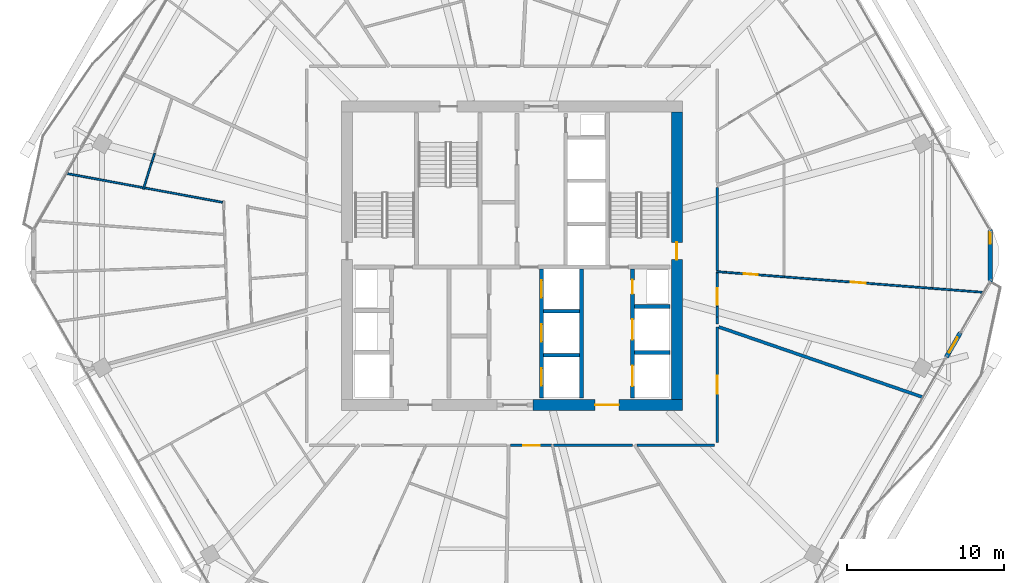
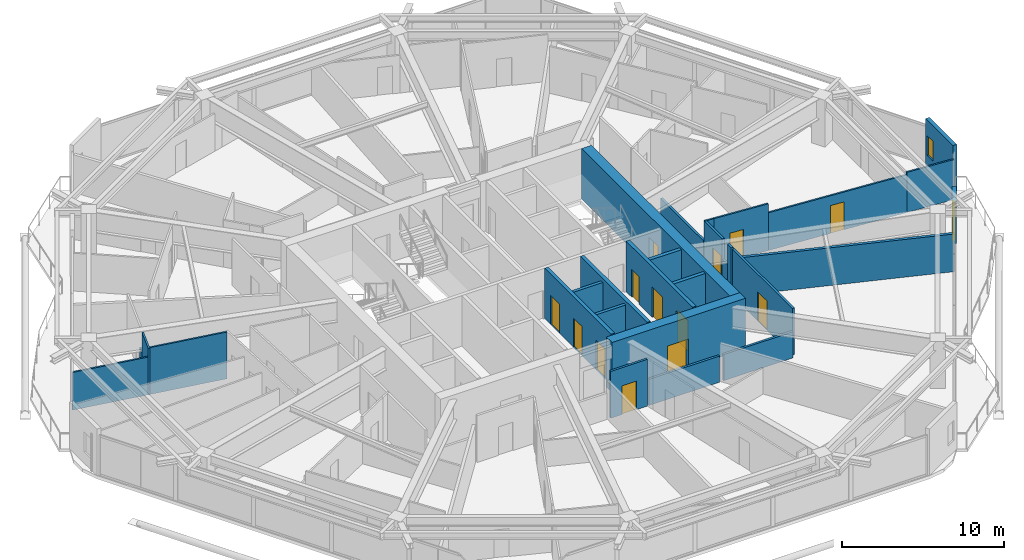
# One storey, part 22 of 28: 28 walls, 14 doors, 1 window, 15 openings.
"""IFC4 building model written with IfcOpenShell, lengths in metres."""

from ifc_helpers import new_model, si_unit, direction, frame, frame_2d, origin, place, context, subcontext, project, spatial, rectangle, extrude, material, layer, layer_set, type_object, element, fill, save


model = new_model("IFC4")

# Units and contexts
model_context = context("Model", 3, precision=1e-05, world=origin(), true_north=direction((0.0, 1.0)))
body_context = subcontext(model_context, "Body", "Model", "MODEL_VIEW")
ifc_project = project(units=[si_unit("LENGTHUNIT", "METRE"), si_unit("AREAUNIT", "SQUARE_METRE"), si_unit("VOLUMEUNIT", "CUBIC_METRE"), si_unit("PLANEANGLEUNIT", "RADIAN"), si_unit("MASSUNIT", "GRAM", prefix="KILO")], contexts=[model_context])

# Site, building, storey
site_placement = place(None, origin())
site = spatial("IfcSite", under=ifc_project, at=site_placement, CompositionType="ELEMENT")
building_placement = place(site_placement, origin())
building = spatial("IfcBuilding", under=site, at=building_placement, Name="Zuhravey Tower", CompositionType="ELEMENT")
storey_placement = place(building_placement, frame((0.0, 0.0, 222.60009765625)))
storey = spatial("IfcBuildingStorey", under=building, at=storey_placement, Name="L56", CompositionType="ELEMENT", Elevation=222.60009765625)

# Wall, opening, door
ifc_material_1 = material(Name="Concrete C60/75", Category="concrete")
ifc_layer_1 = layer(ifc_material_1, 0.699951171875)
ifc_layer_set_1 = layer_set([ifc_layer_1], Name="Concrete C60/75")
wall_type_1 = type_object("IfcWallType", Name="Core Shear Wall 700", PredefinedType="SHEAR", material=ifc_layer_set_1)
wall_1_placement = place(storey_placement, frame((37.35009765625, 22.5, 0.0), z_axis=(0.0, 0.0, 1.0), x_axis=(1.0, 0.0, 0.0)))
wall_1 = element("IfcWall", 1, at=wall_1_placement, inside=storey, type_object=wall_type_1, Name="L56 South-East Core Shear Wall CW70", PredefinedType="SHEAR", context=body_context, shape_type="SweptSolid", body=[
    extrude(rectangle(XDim=9.5, YDim=0.699951171875, at=frame_2d((4.75, 0.0))), origin(), (0.0, 0.0, 1.0), 3.7998046875),
])
opening_1_placement = place(wall_1_placement, frame((3.949951171875, 0.0, 0.0)))
opening_1 = element("IfcOpeningElement", 2, at=opening_1_placement, cuts=wall_1, Name="Opening FFD1", PredefinedType="OPENING", context=body_context, shape_type="SweptSolid", body=[
    extrude(rectangle(XDim=1.5, YDim=2.14990234375, at=frame_2d((0.75, 1.074951171875))), frame((0.0, 0.362060546875, 0.0), z_axis=(0.0, -1.0, 0.0), x_axis=(1.0, 0.0, 0.0)), (0.0, 0.0, 1.0), 0.723876953125),
])
ifc_material_2 = material(Name="Galvanised fire-rated steel leaf", Category="steel")
door_type_1 = type_object("IfcDoorType", Name="Firefighting Lobby Double Door 1500x2150", OperationType="DOUBLE_DOOR_SINGLE_SWING", PredefinedType="DOOR", material=ifc_material_2)
door_1_placement = place(opening_1_placement, origin())
door_1 = element("IfcDoor", 3, at=door_1_placement, inside=storey, type_object=door_type_1, Name="L56 Firefighting Lobby East Door", OperationType="DOUBLE_DOOR_SINGLE_SWING", OverallHeight=2.14990234375, OverallWidth=1.5, PredefinedType="DOOR", context=body_context, shape_type="SweptSolid", body=[
    extrude(rectangle(XDim=1.5, YDim=2.14990234375, at=frame_2d((0.75, 1.074951171875))), frame((0.0, 0.02490234375, 0.0), z_axis=(0.0, -1.0, 0.0), x_axis=(1.0, 0.0, 0.0)), (0.0, 0.0, 1.0), 0.050048828125),
])
fill(opening_1, door_1)

wall_2_placement = place(storey_placement, frame((46.5, 22.85009765625, 0.0), z_axis=(0.0, 0.0, 1.0), x_axis=(0.0, 1.0, 0.0)))
wall_2 = element("IfcWall", 4, at=wall_2_placement, inside=storey, type_object=wall_type_1, Name="L56 East Core Shear Wall CW70", PredefinedType="SHEAR", context=body_context, shape_type="SweptSolid", body=[
    extrude(rectangle(XDim=18.2998046875, YDim=0.699951171875, at=frame_2d((9.14990234375, 0.0))), origin(), (0.0, 0.0, 1.0), 3.7998046875),
])
opening_2_placement = place(wall_2_placement, frame((8.89990234375, 0.0, 0.0)))
opening_2 = element("IfcOpeningElement", 5, at=opening_2_placement, cuts=wall_2, Name="Opening STD1", PredefinedType="OPENING", context=body_context, shape_type="SweptSolid", body=[
    extrude(rectangle(XDim=1.10009765625, YDim=2.14990234375, at=frame_2d((0.550048828125, 1.074951171875))), frame((0.0, 0.362060546875, 0.0), z_axis=(0.0, -1.0, 0.0), x_axis=(1.0, 0.0, 0.0)), (0.0, 0.0, 1.0), 0.723876953125),
])
door_type_2 = type_object("IfcDoorType", Name="Protected Stair Fire Door 1100x2150", OperationType="NOTDEFINED", PredefinedType="USERDEFINED", material=ifc_material_2)
door_2_placement = place(opening_2_placement, origin())
door_2 = element("IfcDoor", 6, at=door_2_placement, inside=storey, type_object=door_type_2, Name="L56 Stair ST2 Door", ObjectType="EXITDOOR", OperationType="SINGLE_SWING_RIGHT", OverallHeight=2.14990234375, OverallWidth=1.10009765625, PredefinedType="USERDEFINED", context=body_context, shape_type="SweptSolid", body=[
    extrude(rectangle(XDim=1.10009765625, YDim=2.14990234375, at=frame_2d((0.550048828125, 1.074951171875))), frame((0.0, 0.02490234375, 0.0), z_axis=(0.0, -1.0, 0.0), x_axis=(1.0, 0.0, 0.0)), (0.0, 0.0, 1.0), 0.050048828125),
])
fill(opening_2, door_2)

ifc_material_3 = material(Name="Gypsum fire-rated stud partition")
ifc_layer_2 = layer(ifc_material_3, 0.159912109375)
ifc_layer_set_2 = layer_set([ifc_layer_2], Name="Gypsum fire-rated stud partition")
wall_type_2 = type_object("IfcWallType", Name="Corridor Fire Partition 160", PredefinedType="PARTITIONING", material=ifc_layer_set_2)
wall_3_placement = place(storey_placement, frame((35.91455078125, 19.919921875, 0.0), z_axis=(0.0, 0.0, 1.0), x_axis=(1.0, 0.0, 0.0)))
wall_3 = element("IfcWall", 7, at=wall_3_placement, inside=storey, type_object=wall_type_2, Name="L56 IW16 Partition 057", PredefinedType="PARTITIONING", context=body_context, shape_type="SweptSolid", body=[
    extrude(rectangle(XDim=2.641357421875, YDim=0.159912109375, at=frame_2d((1.32080078125, 0.0))), origin(), (0.0, 0.0, 1.0), 3.52001953125),
])
opening_3_placement = place(wall_3_placement, frame((0.795654296875, 0.0, 0.0)))
opening_3 = element("IfcOpeningElement", 8, at=opening_3_placement, cuts=wall_3, Name="Opening APD1", PredefinedType="OPENING", context=body_context, shape_type="SweptSolid", body=[
    extrude(rectangle(XDim=1.050048828125, YDim=2.14990234375, at=frame_2d((0.52490234375, 1.074951171875))), frame((0.0, 0.092041015625, 0.0), z_axis=(0.0, -1.0, 0.0), x_axis=(1.0, 0.0, 0.0)), (0.0, 0.0, 1.0), 0.183837890625),
])
ifc_material_4 = material(Name="Solid-core oak fire-rated leaf")
door_type_3 = type_object("IfcDoorType", Name="Apartment Entrance Fire Door 1050x2150", OperationType="NOTDEFINED", PredefinedType="DOOR", material=ifc_material_4)
door_3_placement = place(opening_3_placement, frame((1.050048828125, 0.0, 0.0), z_axis=(0.0, 0.0, 1.0), x_axis=(-1.0, 0.0, 0.0)))
door_3 = element("IfcDoor", 9, at=door_3_placement, inside=storey, type_object=door_type_3, Name="L56 Door 057.1", OperationType="SINGLE_SWING_LEFT", OverallHeight=2.14990234375, OverallWidth=1.050048828125, PredefinedType="DOOR", context=body_context, shape_type="SweptSolid", body=[
    extrude(rectangle(XDim=1.050048828125, YDim=2.14990234375, at=frame_2d((0.52490234375, 1.074951171875))), frame((0.0, 0.02490234375, 0.0), z_axis=(0.0, -1.0, 0.0), x_axis=(1.0, 0.0, 0.0)), (0.0, 0.0, 1.0), 0.050048828125),
])
fill(opening_3, door_3)

wall_4_placement = place(storey_placement, frame((49.080078125, 20.10009765625, 0.0), z_axis=(0.0, 0.0, 1.0), x_axis=(0.0, 1.0, 0.0)))
wall_4 = element("IfcWall", 10, at=wall_4_placement, inside=storey, type_object=wall_type_2, Name="L56 IW16 Partition 058", PredefinedType="PARTITIONING", context=body_context, shape_type="SweptSolid", body=[
    extrude(rectangle(XDim=7.375, YDim=0.159912109375, at=frame_2d((3.6875, 0.0))), origin(), (0.0, 0.0, 1.0), 3.52001953125),
])
opening_4_placement = place(wall_4_placement, frame((3.112548828125, 0.0, 0.0)))
opening_4 = element("IfcOpeningElement", 11, at=opening_4_placement, cuts=wall_4, Name="Opening CLD1", PredefinedType="OPENING", context=body_context, shape_type="SweptSolid", body=[
    extrude(rectangle(XDim=1.14990234375, YDim=2.199951171875, at=frame_2d((0.574951171875, 1.10009765625))), frame((0.0, 0.092041015625, 0.0), z_axis=(0.0, -1.0, 0.0), x_axis=(1.0, 0.0, 0.0)), (0.0, 0.0, 1.0), 0.183837890625),
])
ifc_material_5 = material(Name="Acoustic timber leaf with vision lite", Category="wood")
door_type_4 = type_object("IfcDoorType", Name="Classroom Acoustic Door 1150x2200", OperationType="NOTDEFINED", PredefinedType="DOOR", material=ifc_material_5)
door_4_placement = place(opening_4_placement, frame((1.14990234375, 0.0, 0.0), z_axis=(0.0, 0.0, 1.0), x_axis=(-1.0, 0.0, 0.0)))
door_4 = element("IfcDoor", 12, at=door_4_placement, inside=storey, type_object=door_type_4, Name="L56 Door 058.1", OperationType="SINGLE_SWING_RIGHT", OverallHeight=2.199951171875, OverallWidth=1.14990234375, PredefinedType="DOOR", context=body_context, shape_type="SweptSolid", body=[
    extrude(rectangle(XDim=1.14990234375, YDim=2.199951171875, at=frame_2d((0.574951171875, 1.10009765625))), frame((0.0, 0.02490234375, 0.0), z_axis=(0.0, -1.0, 0.0), x_axis=(1.0, 0.0, 0.0)), (0.0, 0.0, 1.0), 0.050048828125),
])
fill(opening_4, door_4)

wall_5_placement = place(storey_placement, frame((49.080078125, 28.751953125, 0.0), z_axis=(0.0, 0.0, 1.0), x_axis=(0.0, 1.0, 0.0)))
wall_5 = element("IfcWall", 13, at=wall_5_placement, inside=storey, type_object=wall_type_2, Name="L56 IW16 Partition 062", PredefinedType="PARTITIONING", context=body_context, shape_type="SweptSolid", body=[
    extrude(rectangle(XDim=2.21240234375, YDim=0.159912109375, at=frame_2d((1.106201171875, 0.0))), origin(), (0.0, 0.0, 1.0), 3.52001953125),
])
opening_5_placement = place(wall_5_placement, frame((0.139892578125, 0.0, 0.0)))
opening_5 = element("IfcOpeningElement", 14, at=opening_5_placement, cuts=wall_5, Name="Opening APD1", PredefinedType="OPENING", context=body_context, shape_type="SweptSolid", body=[
    extrude(rectangle(XDim=1.050048828125, YDim=2.14990234375, at=frame_2d((0.52490234375, 1.074951171875))), frame((0.0, 0.092041015625, 0.0), z_axis=(0.0, -1.0, 0.0), x_axis=(1.0, 0.0, 0.0)), (0.0, 0.0, 1.0), 0.183837890625),
])
door_5_placement = place(opening_5_placement, frame((1.050048828125, 0.0, 0.0), z_axis=(0.0, 0.0, 1.0), x_axis=(-1.0, 0.0, 0.0)))
door_5 = element("IfcDoor", 15, at=door_5_placement, inside=storey, type_object=door_type_3, Name="L56 Door 062.1", OperationType="SINGLE_SWING_RIGHT", OverallHeight=2.14990234375, OverallWidth=1.050048828125, PredefinedType="DOOR", context=body_context, shape_type="SweptSolid", body=[
    extrude(rectangle(XDim=1.050048828125, YDim=2.14990234375, at=frame_2d((0.52490234375, 1.074951171875))), frame((0.0, 0.02490234375, 0.0), z_axis=(0.0, -1.0, 0.0), x_axis=(1.0, 0.0, 0.0)), (0.0, 0.0, 1.0), 0.050048828125),
])
fill(opening_5, door_5)

# Walls
wall_6_placement = place(storey_placement, frame((49.080078125, 28.107177734375, 0.0), z_axis=(0.0, 0.0, 1.0), x_axis=(0.0, 1.0, 0.0)))
element("IfcWall", 16, at=wall_6_placement, inside=storey, type_object=wall_type_2, Name="L56 IW16 Partition 131", PredefinedType="PARTITIONING", context=body_context, shape_type="SweptSolid", body=[
    extrude(rectangle(XDim=0.644775390625, YDim=0.159912109375, at=frame_2d((0.322265625, 0.0))), origin(), (0.0, 0.0, 1.0), 1.969970703125),
])
wall_7_placement = place(storey_placement, frame((49.080078125, 27.64453125, 0.0), z_axis=(0.0, 0.0, 1.0), x_axis=(0.0, 1.0, 0.0)))
element("IfcWall", 17, at=wall_7_placement, inside=storey, type_object=wall_type_2, Name="L56 IW16 Partition 132", PredefinedType="PARTITIONING", context=body_context, shape_type="SweptSolid", body=[
    extrude(rectangle(XDim=0.462646484375, YDim=0.159912109375, at=frame_2d((0.2314453125, 0.0))), origin(), (0.0, 0.0, 1.0), 3.52001953125),
])
wall_8_placement = place(storey_placement, frame((38.64599609375, 19.919921875, 0.0), z_axis=(0.0, 0.0, 1.0), x_axis=(1.0, 0.0, 0.0)))
element("IfcWall", 18, at=wall_8_placement, inside=storey, type_object=wall_type_2, Name="L56 IW16 Partition 144", PredefinedType="PARTITIONING", context=body_context, shape_type="SweptSolid", body=[
    extrude(rectangle(XDim=5.026123046875, YDim=0.159912109375, at=frame_2d((2.51318359375, 0.0))), origin(), (0.0, 0.0, 1.0), 1.969970703125),
])
wall_9_placement = place(storey_placement, frame((43.9736328125, 19.919921875, 0.0), z_axis=(0.0, 0.0, 1.0), x_axis=(1.0, 0.0, 0.0)))
element("IfcWall", 19, at=wall_9_placement, inside=storey, type_object=wall_type_2, Name="L56 IW16 Partition 145", PredefinedType="PARTITIONING", context=body_context, shape_type="SweptSolid", body=[
    extrude(rectangle(XDim=4.92626953125, YDim=0.159912109375, at=frame_2d((2.463134765625, 0.0))), origin(), (0.0, 0.0, 1.0), 1.969970703125),
])
wall_10_placement = place(storey_placement, frame((49.080078125, 31.052490234375, 0.0), z_axis=(0.0, 0.0, 1.0), x_axis=(0.0, 1.0, 0.0)))
element("IfcWall", 20, at=wall_10_placement, inside=storey, type_object=wall_type_2, Name="L56 IW16 Partition 146", PredefinedType="PARTITIONING", context=body_context, shape_type="SweptSolid", body=[
    extrude(rectangle(XDim=5.302978515625, YDim=0.159912109375, at=frame_2d((2.6513671875, 0.0))), origin(), (0.0, 0.0, 1.0), 1.969970703125),
])

# Wall, opening, door
ifc_material_6 = material(Name="Precast concrete C40/50", Category="concrete")
ifc_layer_3 = layer(ifc_material_6, 0.280029296875)
ifc_layer_set_3 = layer_set([ifc_layer_3], Name="Precast concrete C40/50")
wall_type_3 = type_object("IfcWallType", Name="Crown Architectural Wall 280", PredefinedType="SOLIDWALL", material=ifc_layer_set_3)
wall_11_placement = place(storey_placement, frame((64.55224609375, 27.087890625, 0.0), z_axis=(0.0, 0.0, 1.0), x_axis=(-0.499982180423, -0.866035691677, 0.0)))
wall_11 = element("IfcWall", 21, at=wall_11_placement, inside=storey, type_object=wall_type_3, Name="L56 Face 6 Facade Pier EW28-1", PredefinedType="SOLIDWALL", context=body_context, shape_type="SweptSolid", body=[
    extrude(rectangle(XDim=1.7900390625, YDim=0.280029296875, at=frame_2d((0.89501953125, 0.0))), origin(), (0.0, 0.0, 1.0), 3.02001953125),
])
opening_6_placement = place(wall_11_placement, frame((0.344970703125, 0.0, 0.0)))
opening_6 = element("IfcOpeningElement", 22, at=opening_6_placement, cuts=wall_11, Name="Opening BLD1", PredefinedType="OPENING", context=body_context, shape_type="SweptSolid", body=[
    extrude(rectangle(XDim=1.10009765625, YDim=2.199951171875, at=frame_2d((0.550048828125, 1.10009765625))), frame((0.0, 0.152099609375, 0.0), z_axis=(0.0, -1.0, 0.0), x_axis=(1.0, 0.0, 0.0)), (0.0, 0.0, 1.0), 0.303955078125),
])
ifc_material_7 = material(Name="Thermally broken aluminium and low-E glass", Category="aluminium")
door_type_5 = type_object("IfcDoorType", Name="Balcony & Sky-Tray Glazed Door 1100x2200", OperationType="NOTDEFINED", PredefinedType="DOOR", material=ifc_material_7)
door_6_placement = place(opening_6_placement, frame((1.10009765625, 0.0, 0.0), z_axis=(0.0, 0.0, 1.0), x_axis=(-1.0, 0.0, 0.0)))
door_6 = element("IfcDoor", 23, at=door_6_placement, inside=storey, type_object=door_type_5, Name="L56 Face 6 Wave Balcony Door", OperationType="SINGLE_SWING_LEFT", OverallHeight=2.199951171875, OverallWidth=1.10009765625, PredefinedType="DOOR", context=body_context, shape_type="SweptSolid", body=[
    extrude(rectangle(XDim=1.10009765625, YDim=2.199951171875, at=frame_2d((0.550048828125, 1.10009765625))), frame((0.0, 0.02490234375, 0.0), z_axis=(0.0, -1.0, 0.0), x_axis=(1.0, 0.0, 0.0)), (0.0, 0.0, 1.0), 0.050048828125),
])
fill(opening_6, door_6)

# Wall, opening, window
wall_12_placement = place(storey_placement, frame((66.4716796875, 33.6826171875, 0.0), z_axis=(0.0, 0.0, 1.0), x_axis=(0.0, -1.0, 0.0)))
wall_12 = element("IfcWall", 24, at=wall_12_placement, inside=storey, type_object=wall_type_3, Name="L56 Rounded Corner Closure Wall EW28-12", PredefinedType="SOLIDWALL", context=body_context, shape_type="SweptSolid", body=[
    extrude(rectangle(XDim=3.365234375, YDim=0.280029296875, at=frame_2d((1.6826171875, 0.0))), origin(), (0.0, 0.0, 1.0), 3.52001953125),
])
opening_7_placement = place(wall_12_placement, frame((0.17919921875, 0.0, 0.85009765625)))
opening_7 = element("IfcOpeningElement", 25, at=opening_7_placement, cuts=wall_12, Name="Opening WN5", PredefinedType="OPENING", context=body_context, shape_type="SweptSolid", body=[
    extrude(rectangle(XDim=0.75, YDim=1.5, at=frame_2d((0.375, 0.75))), frame((0.0, 0.152099609375, 0.0), z_axis=(0.0, -1.0, 0.0), x_axis=(1.0, 0.0, 0.0)), (0.0, 0.0, 1.0), 0.303955078125),
])
ifc_material_8 = material(Name="Thermally broken aluminium and triple low-E glass", Category="aluminium")
window_type = type_object("IfcWindowType", Name="Residential Corner Casement Window 750x1500", PartitioningType="SINGLE_PANEL", PredefinedType="WINDOW", material=ifc_material_8)
window_placement = place(opening_7_placement, origin())
window = element("IfcWindow", 26, at=window_placement, inside=storey, type_object=window_type, Name="L56 Corner Casement Window WN5-12.1", OverallHeight=1.5, OverallWidth=0.75, PartitioningType="SINGLE_PANEL", PredefinedType="WINDOW", context=body_context, shape_type="SweptSolid", body=[
    extrude(rectangle(XDim=0.75, YDim=1.5, at=frame_2d((0.375, 0.75))), frame((0.0, 0.030029296875, 0.0), z_axis=(0.0, -1.0, 0.0), x_axis=(1.0, 0.0, 0.0)), (0.0, 0.0, 1.0), 0.06005859375),
])
fill(opening_7, window)

# Wall, openings, doors
ifc_material_9 = material(Name="Concrete C50/60", Category="concrete")
ifc_layer_4 = layer(ifc_material_9, 0.25)
ifc_layer_set_4 = layer_set([ifc_layer_4], Name="Concrete C50/60")
wall_type_4 = type_object("IfcWallType", Name="Firefighting Shaft & Stair Wall 250", PredefinedType="SOLIDWALL", material=ifc_layer_set_4)
wall_13_placement = place(storey_placement, frame((37.875, 22.949951171875, 0.0), z_axis=(0.0, 0.0, 1.0), x_axis=(0.0, 1.0, 0.0)))
wall_13 = element("IfcWall", 27, at=wall_13_placement, inside=storey, type_object=wall_type_4, Name="L56 FW25 Shaft Wall 015", PredefinedType="SOLIDWALL", context=body_context, shape_type="SweptSolid", body=[
    extrude(rectangle(XDim=8.199951171875, YDim=0.25, at=frame_2d((4.10009765625, 0.0))), origin(), (0.0, 0.0, 1.0), 3.7998046875),
])
opening_8_placement = place(wall_13_placement, frame((0.77490234375, 0.0, 0.0)))
opening_8 = element("IfcOpeningElement", 28, at=opening_8_placement, cuts=wall_13, Name="Opening LD1", PredefinedType="OPENING", context=body_context, shape_type="SweptSolid", body=[
    extrude(rectangle(XDim=1.10009765625, YDim=2.199951171875, at=frame_2d((0.550048828125, 1.10009765625))), frame((0.0, 0.136962890625, 0.0), z_axis=(0.0, -1.0, 0.0), x_axis=(1.0, 0.0, 0.0)), (0.0, 0.0, 1.0), 0.27392578125),
])
opening_9_placement = place(wall_13_placement, frame((3.574951171875, 0.0, 0.0)))
opening_9 = element("IfcOpeningElement", 29, at=opening_9_placement, cuts=wall_13, Name="Opening LD1", PredefinedType="OPENING", context=body_context, shape_type="SweptSolid", body=[
    extrude(rectangle(XDim=1.10009765625, YDim=2.199951171875, at=frame_2d((0.550048828125, 1.10009765625))), frame((0.0, 0.136962890625, 0.0), z_axis=(0.0, -1.0, 0.0), x_axis=(1.0, 0.0, 0.0)), (0.0, 0.0, 1.0), 0.27392578125),
])
opening_10_placement = place(wall_13_placement, frame((6.375, 0.0, 0.0)))
opening_10 = element("IfcOpeningElement", 30, at=opening_10_placement, cuts=wall_13, Name="Opening LD1", PredefinedType="OPENING", context=body_context, shape_type="SweptSolid", body=[
    extrude(rectangle(XDim=1.10009765625, YDim=2.199951171875, at=frame_2d((0.550048828125, 1.10009765625))), frame((0.0, 0.136962890625, 0.0), z_axis=(0.0, -1.0, 0.0), x_axis=(1.0, 0.0, 0.0)), (0.0, 0.0, 1.0), 0.27392578125),
])
ifc_material_10 = material(Name="Brushed stainless steel", Category="steel")
door_type_6 = type_object("IfcDoorType", Name="Lift Landing Sliding Door 1100x2200", OperationType="DOUBLE_DOOR_SLIDING", PredefinedType="DOOR", material=ifc_material_10)
door_7_placement = place(opening_8_placement, origin())
door_7 = element("IfcDoor", 31, at=door_7_placement, inside=storey, type_object=door_type_6, Name="L56 Lift PL4 Landing Door", OperationType="DOUBLE_DOOR_SLIDING", OverallHeight=2.199951171875, OverallWidth=1.10009765625, PredefinedType="DOOR", context=body_context, shape_type="SweptSolid", body=[
    extrude(rectangle(XDim=1.10009765625, YDim=2.199951171875, at=frame_2d((0.550048828125, 1.10009765625))), frame((0.0, 0.02490234375, 0.0), z_axis=(0.0, -1.0, 0.0), x_axis=(1.0, 0.0, 0.0)), (0.0, 0.0, 1.0), 0.050048828125),
])
fill(opening_8, door_7)
door_8_placement = place(opening_9_placement, origin())
door_8 = element("IfcDoor", 32, at=door_8_placement, inside=storey, type_object=door_type_6, Name="L56 Lift PL5 Landing Door", OperationType="DOUBLE_DOOR_SLIDING", OverallHeight=2.199951171875, OverallWidth=1.10009765625, PredefinedType="DOOR", context=body_context, shape_type="SweptSolid", body=[
    extrude(rectangle(XDim=1.10009765625, YDim=2.199951171875, at=frame_2d((0.550048828125, 1.10009765625))), frame((0.0, 0.02490234375, 0.0), z_axis=(0.0, -1.0, 0.0), x_axis=(1.0, 0.0, 0.0)), (0.0, 0.0, 1.0), 0.050048828125),
])
fill(opening_9, door_8)
door_9_placement = place(opening_10_placement, origin())
door_9 = element("IfcDoor", 33, at=door_9_placement, inside=storey, type_object=door_type_6, Name="L56 Lift PL6 Landing Door", OperationType="DOUBLE_DOOR_SLIDING", OverallHeight=2.199951171875, OverallWidth=1.10009765625, PredefinedType="DOOR", context=body_context, shape_type="SweptSolid", body=[
    extrude(rectangle(XDim=1.10009765625, YDim=2.199951171875, at=frame_2d((0.550048828125, 1.10009765625))), frame((0.0, 0.02490234375, 0.0), z_axis=(0.0, -1.0, 0.0), x_axis=(1.0, 0.0, 0.0)), (0.0, 0.0, 1.0), 0.050048828125),
])
fill(opening_10, door_9)

# Walls
wall_14_placement = place(storey_placement, frame((40.425048828125, 22.949951171875, 0.0), z_axis=(0.0, 0.0, 1.0), x_axis=(0.0, 1.0, 0.0)))
element("IfcWall", 34, at=wall_14_placement, inside=storey, type_object=wall_type_4, Name="L56 FW25 Shaft Wall 016", PredefinedType="SOLIDWALL", context=body_context, shape_type="SweptSolid", body=[
    extrude(rectangle(XDim=8.199951171875, YDim=0.25, at=frame_2d((4.10009765625, 0.0))), origin(), (0.0, 0.0, 1.0), 3.7998046875),
])
for number, where, z_axis, x_axis, name in (
    (35, (43.800048828125, 25.824951171875, 0.0), (0.0, 0.0, 1.0), (1.0, 0.0, 0.0), "L56 FW25 Shaft Wall 017"),
    (36, (43.800048828125, 28.77490234375, 0.0), (0.0, 0.0, 1.0), (1.0, 0.0, 0.0), "L56 FW25 Shaft Wall 018"),
):
    element("IfcWall", number, at=place(storey_placement, frame(where, z_axis=z_axis, x_axis=x_axis)), inside=storey, type_object=wall_type_4, Name=name, PredefinedType="SOLIDWALL", context=body_context, shape_type="SweptSolid", body=[
        extrude(rectangle(XDim=2.25, YDim=0.25, at=frame_2d((1.125, 0.0))), origin(), (0.0, 0.0, 1.0), 3.7998046875),
    ])

# Wall, openings, doors
wall_15_placement = place(storey_placement, frame((43.675048828125, 22.949951171875, 0.0), z_axis=(0.0, 0.0, 1.0), x_axis=(0.0, 1.0, 0.0)))
wall_15 = element("IfcWall", 37, at=wall_15_placement, inside=storey, type_object=wall_type_4, Name="L56 FW25 Shaft Wall 019", PredefinedType="SOLIDWALL", context=body_context, shape_type="SweptSolid", body=[
    extrude(rectangle(XDim=8.199951171875, YDim=0.25, at=frame_2d((4.10009765625, 0.0))), origin(), (0.0, 0.0, 1.0), 3.7998046875),
])
opening_11_placement = place(wall_15_placement, frame((0.75, 0.0, 0.0)))
opening_11 = element("IfcOpeningElement", 38, at=opening_11_placement, cuts=wall_15, Name="Opening LD2", PredefinedType="OPENING", context=body_context, shape_type="SweptSolid", body=[
    extrude(rectangle(XDim=1.300048828125, YDim=2.300048828125, at=frame_2d((0.64990234375, 1.14990234375))), frame((0.0, 0.136962890625, 0.0), z_axis=(0.0, -1.0, 0.0), x_axis=(1.0, 0.0, 0.0)), (0.0, 0.0, 1.0), 0.27392578125),
])
opening_12_placement = place(wall_15_placement, frame((3.699951171875, 0.0, 0.0)))
opening_12 = element("IfcOpeningElement", 39, at=opening_12_placement, cuts=wall_15, Name="Opening LD2", PredefinedType="OPENING", context=body_context, shape_type="SweptSolid", body=[
    extrude(rectangle(XDim=1.300048828125, YDim=2.300048828125, at=frame_2d((0.64990234375, 1.14990234375))), frame((0.0, 0.136962890625, 0.0), z_axis=(0.0, -1.0, 0.0), x_axis=(1.0, 0.0, 0.0)), (0.0, 0.0, 1.0), 0.27392578125),
])
opening_13_placement = place(wall_15_placement, frame((6.6201171875, 0.0, 0.0)))
opening_13 = element("IfcOpeningElement", 40, at=opening_13_placement, cuts=wall_15, Name="Opening RSD1", PredefinedType="OPENING", context=body_context, shape_type="SweptSolid", body=[
    extrude(rectangle(XDim=0.89990234375, YDim=2.10009765625, at=frame_2d((0.449951171875, 1.050048828125))), frame((0.0, 0.136962890625, 0.0), z_axis=(0.0, -1.0, 0.0), x_axis=(1.0, 0.0, 0.0)), (0.0, 0.0, 1.0), 0.27392578125),
])
door_type_7 = type_object("IfcDoorType", Name="Freight & Stretcher Lift Sliding Door 1300x2300", OperationType="DOUBLE_DOOR_SLIDING", PredefinedType="DOOR", material=ifc_material_10)
door_10_placement = place(opening_11_placement, origin())
door_10 = element("IfcDoor", 41, at=door_10_placement, inside=storey, type_object=door_type_7, Name="L56 Lift FF2 Landing Door", OperationType="DOUBLE_DOOR_SLIDING", OverallHeight=2.300048828125, OverallWidth=1.300048828125, PredefinedType="DOOR", context=body_context, shape_type="SweptSolid", body=[
    extrude(rectangle(XDim=1.300048828125, YDim=2.300048828125, at=frame_2d((0.64990234375, 1.14990234375))), frame((0.0, 0.02490234375, 0.0), z_axis=(0.0, -1.0, 0.0), x_axis=(1.0, 0.0, 0.0)), (0.0, 0.0, 1.0), 0.050048828125),
])
fill(opening_11, door_10)
door_11_placement = place(opening_12_placement, origin())
door_11 = element("IfcDoor", 42, at=door_11_placement, inside=storey, type_object=door_type_7, Name="L56 Lift SV1 Landing Door", OperationType="DOUBLE_DOOR_SLIDING", OverallHeight=2.300048828125, OverallWidth=1.300048828125, PredefinedType="DOOR", context=body_context, shape_type="SweptSolid", body=[
    extrude(rectangle(XDim=1.300048828125, YDim=2.300048828125, at=frame_2d((0.64990234375, 1.14990234375))), frame((0.0, 0.02490234375, 0.0), z_axis=(0.0, -1.0, 0.0), x_axis=(1.0, 0.0, 0.0)), (0.0, 0.0, 1.0), 0.050048828125),
])
fill(opening_12, door_11)
ifc_material_11 = material(Name="Galvanised fire-rated steel access leaf", Category="steel")
door_type_8 = type_object("IfcDoorType", Name="Riser & Shaft Access Fire Door 900x2100", OperationType="NOTDEFINED", PredefinedType="DOOR", material=ifc_material_11)
door_12_placement = place(opening_13_placement, origin())
door_12 = element("IfcDoor", 43, at=door_12_placement, inside=storey, type_object=door_type_8, Name="L56 Plumbing Riser Door", OperationType="SINGLE_SWING_RIGHT", OverallHeight=2.10009765625, OverallWidth=0.89990234375, PredefinedType="DOOR", context=body_context, shape_type="SweptSolid", body=[
    extrude(rectangle(XDim=0.89990234375, YDim=2.10009765625, at=frame_2d((0.449951171875, 1.050048828125))), frame((0.0, 0.02490234375, 0.0), z_axis=(0.0, -1.0, 0.0), x_axis=(1.0, 0.0, 0.0)), (0.0, 0.0, 1.0), 0.050048828125),
])
fill(opening_13, door_12)

# Walls
ifc_material_12 = material(Name="Gypsum double-stud party assembly")
ifc_layer_5 = layer(ifc_material_12, 0.199951171875)
ifc_layer_set_5 = layer_set([ifc_layer_5], Name="Gypsum double-stud party assembly")
wall_type_5 = type_object("IfcWallType", Name="Inter-Tenancy Party Wall 200", PredefinedType="PARTITIONING", material=ifc_layer_set_5)
wall_16_placement = place(storey_placement, frame((49.16796875, 27.4658203125, 0.0), z_axis=(0.0, 0.0, 1.0), x_axis=(0.945519149225, -0.325566488523, 0.0)))
element("IfcWall", 44, at=wall_16_placement, inside=storey, type_object=wall_type_5, Name="L56 IW20 Partition 127", PredefinedType="PARTITIONING", context=body_context, shape_type="SweptSolid", body=[
    extrude(rectangle(XDim=13.76513671875, YDim=0.199951171875, at=frame_2d((6.882568359375, 0.0))), origin(), (0.0, 0.0, 1.0), 2.83984375),
])
ifc_material_13 = material(Name="Gypsum acoustic stud assembly")
ifc_layer_6 = layer(ifc_material_13, 0.219970703125)
ifc_layer_set_6 = layer_set([ifc_layer_6], Name="Gypsum acoustic stud assembly")
wall_type_6 = type_object("IfcWallType", Name="School Acoustic Compartment Wall 220", PredefinedType="PARTITIONING", material=ifc_layer_set_6)
for number, where, z_axis, x_axis, name in (
    (45, (38.008056640625, 25.675048828125, 0.0), (0.0, 0.0, 1.0), (1.0, 0.0, 0.0), "L56 IW22 Partition 067"),
    (46, (38.008056640625, 28.47509765625, 0.0), (0.0, 0.0, 1.0), (1.0, 0.0, 0.0), "L56 IW22 Partition 068"),
):
    element("IfcWall", number, at=place(storey_placement, frame(where, z_axis=z_axis, x_axis=x_axis)), inside=storey, type_object=wall_type_6, Name=name, PredefinedType="PARTITIONING", context=body_context, shape_type="SweptSolid", body=[
        extrude(rectangle(XDim=2.283935546875, YDim=0.219970703125, at=frame_2d((1.14208984375, 0.0))), origin(), (0.0, 0.0, 1.0), 3.52001953125),
    ])

# Wall, opening, door
ifc_material_14 = material(Name="Gypsum metal-stud partition")
ifc_layer_7 = layer(ifc_material_14, 0.1201171875)
ifc_layer_set_7 = layer_set([ifc_layer_7], Name="Gypsum metal-stud partition")
wall_type_7 = type_object("IfcWallType", Name="Unit Internal Partition 120", PredefinedType="PARTITIONING", material=ifc_layer_set_7)
wall_17_placement = place(storey_placement, frame((49.64990234375, 30.940185546875, 0.0), z_axis=(0.0, 0.0, 1.0), x_axis=(0.996995398774, -0.077460795393, 0.0)))
wall_17 = element("IfcWall", 47, at=wall_17_placement, inside=storey, type_object=wall_type_7, Name="L56 IW12 Partition 059", PredefinedType="PARTITIONING", context=body_context, shape_type="SweptSolid", body=[
    extrude(rectangle(XDim=3.712890625, YDim=0.1201171875, at=frame_2d((1.8564453125, 0.0))), origin(), (0.0, 0.0, 1.0), 3.52001953125),
])
opening_14_placement = place(wall_17_placement, frame((1.109375, 0.0, 0.0)))
opening_14 = element("IfcOpeningElement", 48, at=opening_14_placement, cuts=wall_17, Name="Opening WCD1", PredefinedType="OPENING", context=body_context, shape_type="SweptSolid", body=[
    extrude(rectangle(XDim=0.89990234375, YDim=2.10009765625, at=frame_2d((0.449951171875, 1.050048828125))), frame((0.0, 0.072021484375, 0.0), z_axis=(0.0, -1.0, 0.0), x_axis=(1.0, 0.0, 0.0)), (0.0, 0.0, 1.0), 0.14404296875),
])
ifc_material_15 = material(Name="Moisture-resistant timber leaf", Category="wood")
door_type_9 = type_object("IfcDoorType", Name="Bathroom & WC Internal Door 900x2100", OperationType="NOTDEFINED", PredefinedType="DOOR", material=ifc_material_15)
door_13_placement = place(opening_14_placement, origin())
door_13 = element("IfcDoor", 49, at=door_13_placement, inside=storey, type_object=door_type_9, Name="Apartment L56-10 Bathroom Door", OperationType="SINGLE_SWING_LEFT", OverallHeight=2.10009765625, OverallWidth=0.89990234375, PredefinedType="DOOR", context=body_context, shape_type="SweptSolid", body=[
    extrude(rectangle(XDim=0.89990234375, YDim=2.10009765625, at=frame_2d((0.449951171875, 1.050048828125))), frame((0.0, 0.02490234375, 0.0), z_axis=(0.0, -1.0, 0.0), x_axis=(1.0, 0.0, 0.0)), (0.0, 0.0, 1.0), 0.050048828125),
])
fill(opening_14, door_13)

wall_18_placement = place(storey_placement, frame((53.3515625, 30.652587890625, 0.0), z_axis=(0.0, 0.0, 1.0), x_axis=(0.996998969354, -0.077414824849, 0.0)))
wall_18 = element("IfcWall", 50, at=wall_18_placement, inside=storey, type_object=wall_type_7, Name="L56 IW12 Partition 060", PredefinedType="PARTITIONING", context=body_context, shape_type="SweptSolid", body=[
    extrude(rectangle(XDim=9.486328125, YDim=0.1201171875, at=frame_2d((4.7431640625, 0.0))), origin(), (0.0, 0.0, 1.0), 2.83984375),
])
opening_15_placement = place(wall_18_placement, frame((4.2431640625, 0.0, 0.0)))
opening_15 = element("IfcOpeningElement", 51, at=opening_15_placement, cuts=wall_18, Name="Opening IND1", PredefinedType="OPENING", context=body_context, shape_type="SweptSolid", body=[
    extrude(rectangle(XDim=0.949951171875, YDim=2.10009765625, at=frame_2d((0.47509765625, 1.050048828125))), frame((0.0, 0.072021484375, 0.0), z_axis=(0.0, -1.0, 0.0), x_axis=(1.0, 0.0, 0.0)), (0.0, 0.0, 1.0), 0.14404296875),
])
ifc_material_16 = material(Name="Painted engineered timber leaf", Category="wood")
door_type_10 = type_object("IfcDoorType", Name="Internal Room & Bedroom Door 950x2100", OperationType="NOTDEFINED", PredefinedType="DOOR", material=ifc_material_16)
door_14_placement = place(opening_15_placement, origin())
door_14 = element("IfcDoor", 52, at=door_14_placement, inside=storey, type_object=door_type_10, Name="Apartment L56-10 Home Office Door", OperationType="SINGLE_SWING_RIGHT", OverallHeight=2.10009765625, OverallWidth=0.949951171875, PredefinedType="DOOR", context=body_context, shape_type="SweptSolid", body=[
    extrude(rectangle(XDim=0.949951171875, YDim=2.10009765625, at=frame_2d((0.47509765625, 1.050048828125))), frame((0.0, 0.02490234375, 0.0), z_axis=(0.0, -1.0, 0.0), x_axis=(1.0, 0.0, 0.0)), (0.0, 0.0, 1.0), 0.050048828125),
])
fill(opening_15, door_14)

# Walls
wall_19_placement = place(storey_placement, frame((13.237060546875, 38.521484375, 0.0), z_axis=(0.0, 0.0, 1.0), x_axis=(-0.300541818043, -0.953768638406, 0.0)))
element("IfcWall", 53, at=wall_19_placement, inside=storey, type_object=wall_type_7, Name="L56 IW12 Partition 096", PredefinedType="PARTITIONING", context=body_context, shape_type="SweptSolid", body=[
    extrude(rectangle(XDim=0.5947265625, YDim=0.1201171875, at=frame_2d((0.29736328125, 0.0))), origin(), (0.0, 0.0, 1.0), 1.969970703125),
])
wall_20_placement = place(storey_placement, frame((13.058349609375, 37.954345703125, 0.0), z_axis=(0.0, 0.0, 1.0), x_axis=(-0.300347448432, -0.953829864399, 0.0)))
element("IfcWall", 54, at=wall_20_placement, inside=storey, type_object=wall_type_7, Name="L56 IW12 Partition 097", PredefinedType="PARTITIONING", context=body_context, shape_type="SweptSolid", body=[
    extrude(rectangle(XDim=1.8037109375, YDim=0.1201171875, at=frame_2d((0.90185546875, 0.0))), origin(), (0.0, 0.0, 1.0), 3.52001953125),
])
wall_21_placement = place(storey_placement, frame((17.563720703125, 35.403564453125, 0.0), z_axis=(0.0, 0.0, 1.0), x_axis=(-0.983379648919, 0.181561191038, 0.0)))
element("IfcWall", 55, at=wall_21_placement, inside=storey, type_object=wall_type_7, Name="L56 IW12 Partition 103", PredefinedType="PARTITIONING", context=body_context, shape_type="SweptSolid", body=[
    extrude(rectangle(XDim=5.033203125, YDim=0.1201171875, at=frame_2d((2.5166015625, 0.0))), origin(), (0.0, 0.0, 1.0), 3.52001953125),
])
wall_22_placement = place(storey_placement, frame((12.4794921875, 36.34228515625, 0.0), z_axis=(0.0, 0.0, 1.0), x_axis=(-0.983384489308, 0.181534972355, 0.0)))
element("IfcWall", 56, at=wall_22_placement, inside=storey, type_object=wall_type_7, Name="L56 IW12 Partition 104", PredefinedType="PARTITIONING", context=body_context, shape_type="SweptSolid", body=[
    extrude(rectangle(XDim=4.93701171875, YDim=0.1201171875, at=frame_2d((2.468505859375, 0.0))), origin(), (0.0, 0.0, 1.0), 2.83984375),
])
wall_23_placement = place(storey_placement, frame((49.034912109375, 30.98779296875, 0.0), z_axis=(0.0, 0.0, 1.0), x_axis=(0.997017116246, -0.077180761281, 0.0)))
element("IfcWall", 57, at=wall_23_placement, inside=storey, type_object=wall_type_7, Name="L56 IW12 Partition 128", PredefinedType="PARTITIONING", context=body_context, shape_type="SweptSolid", body=[
    extrude(rectangle(XDim=0.616943359375, YDim=0.1201171875, at=frame_2d((0.30859375, 0.0))), origin(), (0.0, 0.0, 1.0), 3.52001953125),
])
wall_24_placement = place(storey_placement, frame((62.809326171875, 29.918212890625, 0.0), z_axis=(0.0, 0.0, 1.0), x_axis=(0.997003410979, -0.07735760141, 0.0)))
element("IfcWall", 58, at=wall_24_placement, inside=storey, type_object=wall_type_7, Name="L56 IW12 Partition 129", PredefinedType="PARTITIONING", context=body_context, shape_type="SweptSolid", body=[
    extrude(rectangle(XDim=3.24755859375, YDim=0.1201171875, at=frame_2d((1.623779296875, 0.0))), origin(), (0.0, 0.0, 1.0), 3.02001953125),
])

save(model, "model.ifc")
